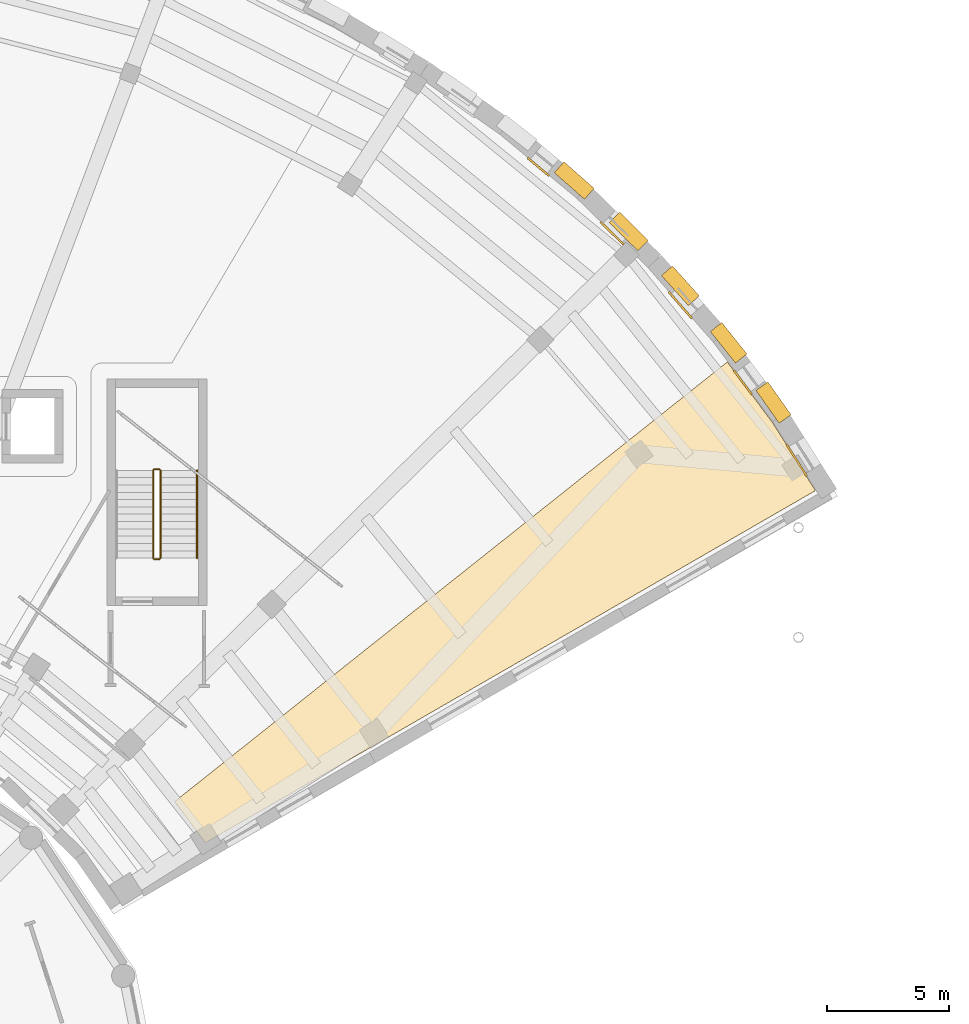
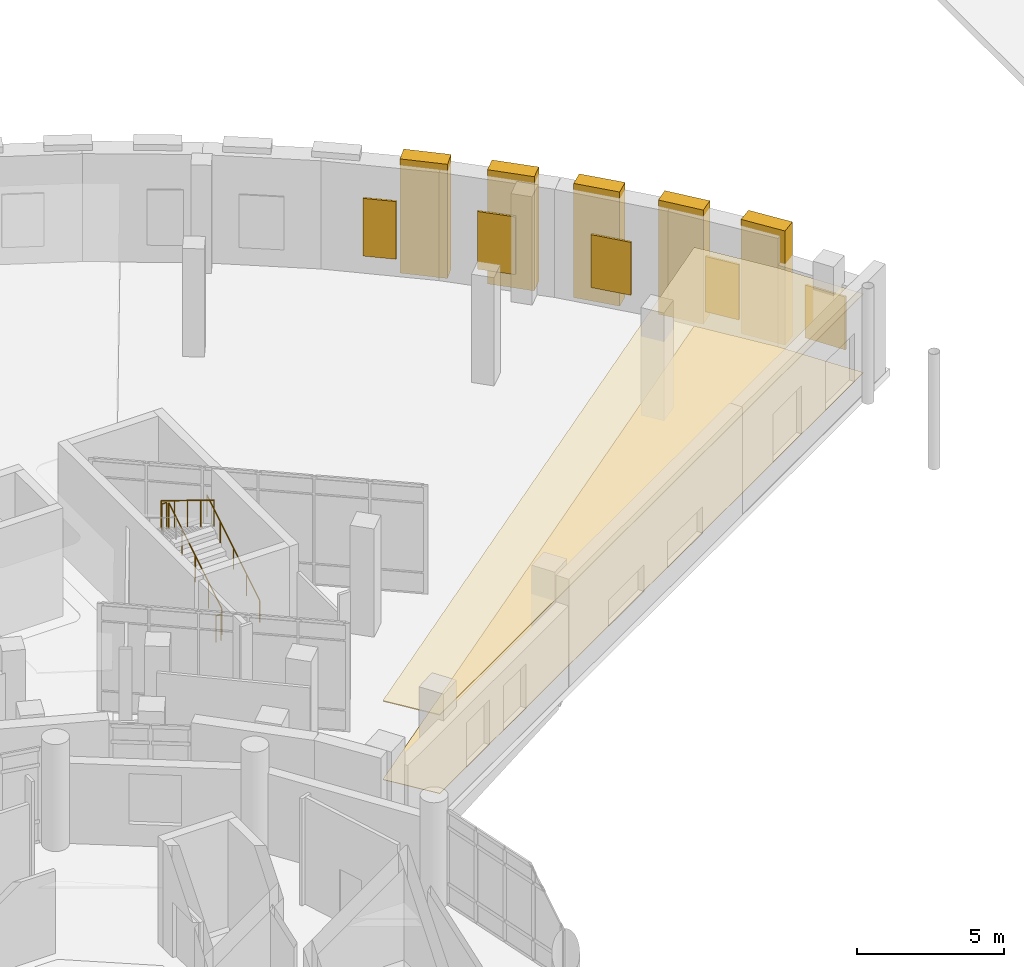
# One storey, part 86 of 89: 12 coverings, 5 railings.
"""IFC4 building model written with IfcOpenShell, lengths in metres."""

import ifcopenshell
import ifcopenshell.guid

model = None  # the IFC model being written
_history = None  # IfcOwnerHistory: only IFC2X3 demands one
_inside = {}  # id of a spatial element -> (the spatial element, [elements in it])
_under = {}  # id of a project, library or spatial element -> (it, [spatial elements below it])
_declared = {}  # id of a project -> (the project, [libraries it declares])
_typed = {}  # id of a type object -> (the type object, [elements of that type])
_made_of = {}  # id of a material, layer set ... -> (it, [elements and type objects made of it])


def new_model(schema):
    """Start an empty IFC model of exactly this schema.

    Asked for "IFC4X3", IfcOpenShell would pick the latest addendum, in which some entities
    have other attributes; the version numbers below select the first issue.
    IFC2X3 requires an IfcOwnerHistory on every rooted entity: one is made here for all.
    """
    global model, _history
    if schema == "IFC4X3":
        model = ifcopenshell.file(schema_version=(4, 3, 0, 0))
    else:
        model = ifcopenshell.file(schema=schema)
    _inside.clear()
    _under.clear()
    _declared.clear()
    _typed.clear()
    _made_of.clear()
    _history = None
    if model.schema == "IFC2X3":
        org = make("IfcOrganization", Name="unknown")
        user = make(
            "IfcPersonAndOrganization",
            ThePerson=make("IfcPerson", FamilyName="unknown"),
            TheOrganization=org,
        )
        app = make(
            "IfcApplication",
            ApplicationDeveloper=org,
            Version="unknown",
            ApplicationFullName="unknown",
            ApplicationIdentifier="unknown",
        )
        _history = make(
            "IfcOwnerHistory",
            OwningUser=user,
            OwningApplication=app,
            ChangeAction="ADDED",
            CreationDate=0,
        )
    return model


def make(cls, **values):
    """One entity of the class cls with the attributes given. An attribute that is None is left unset."""
    return model.create_entity(
        cls, **{name: value for name, value in values.items() if value is not None}
    )


def rooted(cls, **values):
    """An entity with a GlobalId (a new one), such as an element, a storey or a relation."""
    return make(cls, GlobalId=ifcopenshell.guid.new(), OwnerHistory=_history, **values)


def si_unit(unit_type, name, prefix=None):
    """IfcSIUnit, for example si_unit("LENGTHUNIT", "METRE", prefix="MILLI")."""
    return make("IfcSIUnit", UnitType=unit_type, Prefix=prefix, Name=name)


def assignment(units):
    """IfcUnitAssignment: the units of a project."""
    return None if units is None else make("IfcUnitAssignment", Units=units)


def point(xyz):
    """IfcCartesianPoint."""
    return None if xyz is None else make("IfcCartesianPoint", Coordinates=xyz)


def direction(xyz):
    """IfcDirection."""
    return None if xyz is None else make("IfcDirection", DirectionRatios=xyz)


def frame(location, z_axis=None, x_axis=None):
    """IfcAxis2Placement3D, a coordinate frame: its origin and axes. An axis left out is left unset."""
    return make(
        "IfcAxis2Placement3D",
        Location=point(location),
        Axis=direction(z_axis),
        RefDirection=direction(x_axis),
    )


def frame_2d(location, x_axis=None):
    """IfcAxis2Placement2D, a coordinate frame in the plane: its origin and x axis."""
    return make(
        "IfcAxis2Placement2D", Location=point(location), RefDirection=direction(x_axis)
    )


def origin():
    """The frame at (0, 0, 0) with its axes left unset."""
    return frame((0.0, 0.0, 0.0))


def origin_2d():
    """The frame at (0, 0) in the plane with its x axis left unset."""
    return frame_2d((0.0, 0.0))


def place(relative_to, where):
    """IfcLocalPlacement: puts the frame where relative to a parent placement (None: the world)."""
    return make(
        "IfcLocalPlacement", PlacementRelTo=relative_to, RelativePlacement=where
    )


def context(
    kind, dimensions, precision=None, world=None, true_north=None, identifier=None
):
    """IfcGeometricRepresentationContext, for example the 3D "Model" context."""
    return make(
        "IfcGeometricRepresentationContext",
        ContextIdentifier=identifier,
        ContextType=kind,
        CoordinateSpaceDimension=dimensions,
        Precision=precision,
        WorldCoordinateSystem=world,
        TrueNorth=true_north,
    )


def subcontext(parent, identifier, kind, view, scale=None):
    """IfcGeometricRepresentationSubContext, for example "Body" below "Model"."""
    return make(
        "IfcGeometricRepresentationSubContext",
        ContextIdentifier=identifier,
        ContextType=kind,
        ParentContext=parent,
        TargetScale=scale,
        TargetView=view,
    )


def project(units=None, contexts=None):
    """IfcProject with its units and contexts."""
    return rooted(
        "IfcProject",
        Name="project",
        RepresentationContexts=contexts,
        UnitsInContext=assignment(units),
    )


def spatial(cls, under=None, at=None, **own):
    """A site, building, storey or space (cls), placed at a placement, below another one or the project."""
    s = rooted(cls, ObjectPlacement=at, **own)
    if under is not None:
        _under.setdefault(under.id(), (under, []))[1].append(s)
    return s


def polyline(points):
    """IfcPolyline through the points."""
    return make("IfcPolyline", Points=[point(p) for p in points])


def profile(cls, at=None, kind="AREA", **sizes):
    """A parametric profile (cls). Its sizes go by their IFC names, for example OverallWidth=200.0."""
    return make(cls, ProfileType=kind, Position=at, **sizes)


def rectangle(**sizes):
    """IfcRectangleProfileDef."""
    return profile("IfcRectangleProfileDef", **sizes)


def circle(**sizes):
    """IfcCircleProfileDef."""
    return profile("IfcCircleProfileDef", **sizes)


def outline(outer, holes=None, kind="AREA"):
    """IfcArbitraryClosedProfileDef: a profile drawn as a closed curve; with holes, ...WithVoids."""
    if holes is None:
        return make("IfcArbitraryClosedProfileDef", ProfileType=kind, OuterCurve=outer)
    return make(
        "IfcArbitraryProfileDefWithVoids",
        ProfileType=kind,
        OuterCurve=outer,
        InnerCurves=holes,
    )


def extrude(swept, where, along, depth):
    """IfcExtrudedAreaSolid: the profile swept, set in the frame where, extruded along a direction by depth."""
    return make(
        "IfcExtrudedAreaSolid",
        SweptArea=swept,
        Position=where,
        ExtrudedDirection=direction(along),
        Depth=depth,
    )


def shape(context_of_items, identifier, shape_type, items):
    """IfcShapeRepresentation: the items that make up one representation, for example the "Body"."""
    return make(
        "IfcShapeRepresentation",
        ContextOfItems=context_of_items,
        RepresentationIdentifier=identifier,
        RepresentationType=shape_type,
        Items=items,
    )


def material(Name=None, Category=None):
    """IfcMaterial."""
    return make("IfcMaterial", Name=Name, Category=Category)


def layer(
    of_material, thickness, ventilated=None, Name=None, Category=None, Priority=None
):
    """IfcMaterialLayer: one layer of a wall or slab, of a material (None: an air gap)."""
    return make(
        "IfcMaterialLayer",
        Material=of_material,
        LayerThickness=thickness,
        IsVentilated=ventilated,
        Name=Name,
        Category=Category,
        Priority=Priority,
    )


def layer_set(layers, Name=None):
    """IfcMaterialLayerSet."""
    return make("IfcMaterialLayerSet", MaterialLayers=layers, LayerSetName=Name)


def made_of(thing, what):
    """Note that an element or type object is made of a material, layer set ...; save() writes the relation."""
    if what is not None:
        _made_of.setdefault(what.id(), (what, []))[1].append(thing)
    return thing


def type_object(cls, material=None, **own):
    """A type object (cls), such as IfcWallType, which elements share."""
    return made_of(rooted(cls, **own), material)


def element(
    cls,
    number,
    at=None,
    inside=None,
    cuts=None,
    type_object=None,
    material=None,
    context=None,
    identifier="Body",
    shape_type=None,
    held_by="IfcProductDefinitionShape",
    body=None,
    shapes=None,
    **own,
):
    """One element of the class cls, such as IfcWall. Its Tag is "e" and its number.

    at: its placement. inside: the storey or other place that contains it. cuts: it is an
    opening in that element (IfcRelVoidsElement). A single representation is given by context,
    identifier, shape_type and body (its items); several are given by shapes. held_by: the class
    of the entity that holds the representations. save() writes the other relations.
    """
    e = rooted(cls, Tag="e%d" % number, ObjectPlacement=at, **own)
    if body is not None:
        shapes = [shape(context, identifier, shape_type, body)]
    if shapes is not None:
        e.Representation = make(held_by, Representations=shapes)
    if inside is not None:
        _inside.setdefault(inside.id(), (inside, []))[1].append(e)
    if cuts is not None:
        rooted(
            "IfcRelVoidsElement", RelatingBuildingElement=cuts, RelatedOpeningElement=e
        )
    if type_object is not None:
        _typed.setdefault(type_object.id(), (type_object, []))[1].append(e)
    return made_of(e, material)


def aggregate(whole, parts):
    """IfcRelAggregates: a whole, such as a stair, and the parts it consists of."""
    return rooted("IfcRelAggregates", RelatingObject=whole, RelatedObjects=parts)


def save(model, path):
    """Write the relations noted so far, then the file.

    IfcRelAggregates (storeys below a building ...), IfcRelContainedInSpatialStructure (elements
    in a storey), IfcRelDefinesByType, IfcRelAssociatesMaterial and IfcRelDeclares: one each for
    every whole, place, type object, material and project.
    """
    for whole, parts in _under.values():
        aggregate(whole, parts)
    for where, things in _inside.values():
        rooted(
            "IfcRelContainedInSpatialStructure",
            RelatedElements=things,
            RelatingStructure=where,
        )
    for kind, things in _typed.values():
        rooted("IfcRelDefinesByType", RelatedObjects=things, RelatingType=kind)
    for what, things in _made_of.values():
        rooted("IfcRelAssociatesMaterial", RelatedObjects=things, RelatingMaterial=what)
    for by, libraries in _declared.values():
        rooted("IfcRelDeclares", RelatingContext=by, RelatedDefinitions=libraries)
    model.write(path)


model = new_model("IFC4")

# Units and contexts
model_context = context("Model", 3, precision=1e-05, world=origin(), true_north=direction((0.0, 1.0)))
body_context = subcontext(model_context, "Body", "Model", "MODEL_VIEW")
ifc_project = project(units=[si_unit("LENGTHUNIT", "METRE"), si_unit("AREAUNIT", "SQUARE_METRE"), si_unit("VOLUMEUNIT", "CUBIC_METRE"), si_unit("PLANEANGLEUNIT", "RADIAN"), si_unit("MASSUNIT", "GRAM", prefix="KILO")], contexts=[model_context])

# Site, building, storey
site_placement = place(None, origin())
site = spatial("IfcSite", under=ifc_project, at=site_placement, CompositionType="ELEMENT")
building_placement = place(site_placement, origin())
building = spatial("IfcBuilding", under=site, at=building_placement, Name="Soyqirgoq Riverine Aquarium", CompositionType="ELEMENT")
storey_placement = place(building_placement, frame((0.0, 0.0, 5.39990234375)))
storey = spatial("IfcBuildingStorey", under=building, at=storey_placement, Name="L02", CompositionType="ELEMENT", Elevation=5.39990234375)

# Coverings
ifc_material_1 = material(Name="Seamless slip-resistant marine epoxy flooring", Category="concrete")
ifc_layer_1 = layer(ifc_material_1, 0.02001953125)
ifc_layer_set_1 = layer_set([ifc_layer_1], Name="Seamless slip-resistant marine epoxy flooring")
covering_type_1 = type_object("IfcCoveringType", Name="EpoxyWetFloorFinish_20", PredefinedType="FLOORING", material=ifc_layer_set_1)
covering_1_placement = place(storey_placement, origin())
element("IfcCovering", 1, at=covering_1_placement, inside=storey, type_object=covering_type_1, Name="Bioluminescent Deep Lab Exhibit Floor Finish", PredefinedType="FLOORING", context=body_context, shape_type="SweptSolid", body=[
    extrude(outline(polyline([(98.72998046875, 86.367919921875), (100.4970703125, 83.568115234375), (75.489990234375, 69.1298828125), (74.22705078125, 70.821044921875), (96.883056640625, 88.842041015625), (98.72998046875, 86.367919921875)])), origin(), (0.0, 0.0, 1.0), 0.02001953125),
])
ifc_material_2 = material(Name="Anodised aluminium marine moisture-resistant ceiling", Category="aluminium")
ifc_layer_2 = layer(ifc_material_2, 0.0400390625)
ifc_layer_set_2 = layer_set([ifc_layer_2], Name="Anodised aluminium marine moisture-resistant ceiling")
covering_type_2 = type_object("IfcCoveringType", Name="MoistureCeiling_40", PredefinedType="CEILING", material=ifc_layer_set_2)
covering_2_placement = place(storey_placement, frame((0.0, 0.0, 3.260009765625)))
element("IfcCovering", 2, at=covering_2_placement, inside=storey, type_object=covering_type_2, Name="Bioluminescent Deep Lab Exhibit Suspended Ceiling", PredefinedType="CEILING", context=body_context, shape_type="SweptSolid", body=[
    extrude(outline(polyline([(98.72998046875, 86.367919921875), (100.4970703125, 83.568115234375), (75.489990234375, 69.1298828125), (74.22705078125, 70.821044921875), (96.883056640625, 88.842041015625), (98.72998046875, 86.367919921875)])), origin(), (0.0, 0.0, 1.0), 0.0400390625),
])
ifc_material_3 = material(Name="Anodised extruded aluminium sunshade", Category="aluminium")
covering_type_3 = type_object("IfcCoveringType", Name="SolarShadingLouvre_450", PredefinedType="USERDEFINED", material=ifc_material_3)
covering_3_placement = place(storey_placement, frame((89.135498046875, 96.841064453125, 0.750244140625), z_axis=(0.0, 0.0, 1.0), x_axis=(0.768841832073, -0.639439001981, 0.0)))
element("IfcCovering", 3, at=covering_3_placement, inside=storey, type_object=covering_type_3, Name="V5 L02 Travertine Niche Solar Shade 0080", ObjectType="SOLAR_SHADING", PredefinedType="USERDEFINED", context=body_context, shape_type="SweptSolid", body=[
    extrude(rectangle(XDim=1.139892578125, YDim=0.080078125, at=origin_2d()), origin(), (0.0, 0.0, 1.0), 2.39990234375),
])
covering_4_placement = place(storey_placement, frame((92.1591796875, 94.118408203125, 0.750244140625), z_axis=(0.0, 0.0, 1.0), x_axis=(0.716301943425, -0.697790459842, 0.0)))
element("IfcCovering", 4, at=covering_4_placement, inside=storey, type_object=covering_type_3, Name="V5 L02 Travertine Niche Solar Shade 0081", ObjectType="SOLAR_SHADING", PredefinedType="USERDEFINED", context=body_context, shape_type="SweptSolid", body=[
    extrude(rectangle(XDim=1.340087890625, YDim=0.080078125, at=origin_2d()), origin(), (0.0, 0.0, 1.0), 2.39990234375),
])
covering_5_placement = place(storey_placement, frame((94.960205078125, 91.1669921875, 0.75), z_axis=(0.0, 0.0, 1.0), x_axis=(0.6593458151, -0.751839807479, 0.0)))
element("IfcCovering", 5, at=covering_5_placement, inside=storey, type_object=covering_type_3, Name="V5 L02 Travertine Niche Solar Shade 0082", ObjectType="SOLAR_SHADING", PredefinedType="USERDEFINED", context=body_context, shape_type="SweptSolid", body=[
    extrude(rectangle(XDim=1.43994140625, YDim=0.080078125, at=origin_2d()), origin(), (0.0, 0.0, 1.0), 2.199951171875),
])
covering_6_placement = place(storey_placement, frame((97.5205078125, 88.0048828125, 0.75), z_axis=(0.0, 0.0, 1.0), x_axis=(0.598324600571, -0.801253812691, 0.0)))
element("IfcCovering", 6, at=covering_6_placement, inside=storey, type_object=covering_type_3, Name="V5 L02 Travertine Niche Solar Shade 0083", ObjectType="SOLAR_SHADING", PredefinedType="USERDEFINED", context=body_context, shape_type="SweptSolid", body=[
    extrude(rectangle(XDim=1.239990234375, YDim=0.080078125, at=origin_2d()), origin(), (0.0, 0.0, 1.0), 2.300048828125),
])
covering_7_placement = place(storey_placement, frame((99.72900390625, 84.803955078125, 0.75), z_axis=(0.0, 0.0, 1.0), x_axis=(0.533614515916, -0.845727821704, 0.0)))
element("IfcCovering", 7, at=covering_7_placement, inside=storey, type_object=covering_type_3, Name="V5 L02 Travertine Niche Solar Shade 0084", ObjectType="SOLAR_SHADING", PredefinedType="USERDEFINED", context=body_context, shape_type="SweptSolid", body=[
    extrude(rectangle(XDim=1.5400390625, YDim=0.080078125, at=origin_2d()), origin(), (0.0, 0.0, 1.0), 2.199951171875),
])

# Railings
ifc_material_4 = material(Name="Brushed stainless steel 316L tubular handrail", Category="steel")
railing_type_1 = type_object("IfcRailingType", Name="StairPitchHandrail_920", PredefinedType="HANDRAIL", material=ifc_material_4)
railing_1_placement = place(storey_placement, frame((75.14990234375, 80.800048828125, 0.184814453125)))
element("IfcRailing", 8, at=railing_1_placement, inside=storey, type_object=railing_type_1, Name="L02 ST-6 stair handrail 1", PredefinedType="HANDRAIL", context=body_context, shape_type="SweptSolid", body=[
    extrude(circle(Radius=0.02392578125, at=origin_2d()), frame((0.0, 0.0, 0.89990234375), z_axis=(0.0, 0.851654350407, 0.524103870844), x_axis=(-1.0, 0.0, 0.0)), (0.0, 0.0, 1.0), 4.226806640625),
    extrude(circle(Radius=0.02099609375, at=origin_2d()), origin(), (0.0, 0.0, 1.0), 0.875732421875),
    extrude(circle(Radius=0.02099609375, at=origin_2d()), frame((0.0, 0.89990234375, 0.5537109375)), (0.0, 0.0, 1.0), 0.875732421875),
    extrude(circle(Radius=0.02099609375, at=origin_2d()), frame((0.0, 1.7998046875, 1.107666015625)), (0.0, 0.0, 1.0), 0.875732421875),
    extrude(circle(Radius=0.02099609375, at=origin_2d()), frame((0.0, 2.699951171875, 1.66162109375)), (0.0, 0.0, 1.0), 0.875732421875),
    extrude(circle(Radius=0.02099609375, at=origin_2d()), frame((0.0, 3.599853515625, 2.21533203125)), (0.0, 0.0, 1.0), 0.875732421875),
])
ifc_material_5 = material(Name="Painted steel infill stair-well guardrail", Category="steel")
railing_type_2 = type_object("IfcRailingType", Name="StairWellGuard_1120", PredefinedType="GUARDRAIL", material=ifc_material_5)
railing_2_placement = place(storey_placement, frame((73.64990234375, 80.800048828125, 0.184814453125)))
element("IfcRailing", 9, at=railing_2_placement, inside=storey, type_object=railing_type_2, Name="L02 ST-6 stair guard 1", PredefinedType="GUARDRAIL", context=body_context, shape_type="SweptSolid", body=[
    extrude(circle(Radius=0.02392578125, at=origin_2d()), frame((0.0, 0.0, 1.09619140625), z_axis=(0.0, 0.851654350407, 0.524103870844), x_axis=(-1.0, 0.0, 0.0)), (0.0, 0.0, 1.0), 4.226806640625),
    extrude(circle(Radius=0.02099609375, at=origin_2d()), origin(), (0.0, 0.0, 1.0), 1.072021484375),
    extrude(circle(Radius=0.02099609375, at=origin_2d()), frame((0.0, 0.89990234375, 0.5537109375)), (0.0, 0.0, 1.0), 1.072021484375),
    extrude(circle(Radius=0.02099609375, at=origin_2d()), frame((0.0, 1.7998046875, 1.107666015625)), (0.0, 0.0, 1.0), 1.072021484375),
    extrude(circle(Radius=0.02099609375, at=origin_2d()), frame((0.0, 2.699951171875, 1.66162109375)), (0.0, 0.0, 1.0), 1.072021484375),
    extrude(circle(Radius=0.02099609375, at=origin_2d()), frame((0.0, 3.599853515625, 2.21533203125)), (0.0, 0.0, 1.0), 1.072021484375),
])
railing_3_placement = place(storey_placement, frame((73.60009765625, 84.449951171875, 2.400146484375)))
element("IfcRailing", 10, at=railing_3_placement, inside=storey, type_object=railing_type_2, Name="L02 ST-6 stair guard 2", PredefinedType="GUARDRAIL", context=body_context, shape_type="SweptSolid", body=[
    extrude(circle(Radius=0.02392578125, at=origin_2d()), frame((0.0, 0.0, 1.09619140625), z_axis=(-1.0, 0.0, 0.0), x_axis=(0.0, -1.0, 0.0)), (0.0, 0.0, 1.0), 0.2001953125),
    extrude(circle(Radius=0.02099609375, at=origin_2d()), origin(), (0.0, 0.0, 1.0), 1.072021484375),
    extrude(circle(Radius=0.02099609375, at=origin_2d()), frame((-0.2001953125, 0.0, 0.0)), (0.0, 0.0, 1.0), 1.072021484375),
])
railing_4_placement = place(storey_placement, frame((73.35009765625, 84.39990234375, 2.584716796875)))
element("IfcRailing", 11, at=railing_4_placement, inside=storey, type_object=railing_type_2, Name="L02 ST-6 stair guard 3", PredefinedType="GUARDRAIL", context=body_context, shape_type="SweptSolid", body=[
    extrude(circle(Radius=0.02392578125, at=origin_2d()), frame((0.0, 0.0, 1.09619140625), z_axis=(0.0, -0.851654350407, 0.524103870844), x_axis=(1.0, 0.0, 0.0)), (0.0, 0.0, 1.0), 4.226806640625),
    extrude(circle(Radius=0.02099609375, at=origin_2d()), origin(), (0.0, 0.0, 1.0), 1.072021484375),
    extrude(circle(Radius=0.02099609375, at=origin_2d()), frame((0.0, -0.89990234375, 0.5537109375)), (0.0, 0.0, 1.0), 1.072021484375),
    extrude(circle(Radius=0.02099609375, at=origin_2d()), frame((0.0, -1.7998046875, 1.107666015625)), (0.0, 0.0, 1.0), 1.072021484375),
    extrude(circle(Radius=0.02099609375, at=origin_2d()), frame((0.0, -2.699951171875, 1.66162109375)), (0.0, 0.0, 1.0), 1.072021484375),
    extrude(circle(Radius=0.02099609375, at=origin_2d()), frame((0.0, -3.599853515625, 2.21533203125)), (0.0, 0.0, 1.0), 1.072021484375),
])
railing_5_placement = place(storey_placement, frame((73.60009765625, 80.75, 0.0)))
element("IfcRailing", 12, at=railing_5_placement, inside=storey, type_object=railing_type_2, Name="L02 ST-6 stair guard 4", PredefinedType="GUARDRAIL", context=body_context, shape_type="SweptSolid", body=[
    extrude(circle(Radius=0.02392578125, at=origin_2d()), frame((0.0, 0.0, 1.09619140625), z_axis=(-1.0, 0.0, 0.0), x_axis=(0.0, -1.0, 0.0)), (0.0, 0.0, 1.0), 0.2001953125),
    extrude(circle(Radius=0.02099609375, at=origin_2d()), origin(), (0.0, 0.0, 1.0), 1.072021484375),
    extrude(circle(Radius=0.02099609375, at=origin_2d()), frame((-0.2001953125, 0.0, 0.0)), (0.0, 0.0, 1.0), 1.072021484375),
])

# Coverings
ifc_material_6 = material(Name="Honed Uzbek travertine limestone vertical niche pier", Category="masonry")
covering_type_4 = type_object("IfcCoveringType", Name="TravertineNichePier_550", PredefinedType="CLADDING", material=ifc_material_6)
for number, where, z_axis, x_axis, name in (
    (13, (98.777587890625, 87.17626953125, 0.0), (0.0, 0.0, 1.0), (0.817144898335, 0.57643231617, 0.0), "V5 L02 Travertine Vertical Niche Pier 129"),
    (14, (96.93896484375, 89.627197265625, 0.0), (0.0, 0.0, 1.0), (0.782064612424, 0.623197353969, 0.0), "V5 L02 Travertine Vertical Niche Pier 130"),
    (15, (94.9599609375, 91.96630859375, 0.0), (0.0, 0.0, 1.0), (0.744194976126, 0.66796245217, 0.0), "V5 L02 Travertine Vertical Niche Pier 131"),
    (16, (92.84765625, 94.185546875, 0.0), (0.0, 0.0, 1.0), (0.703890763003, 0.710308238555, 0.0), "V5 L02 Travertine Vertical Niche Pier 132"),
    (17, (90.609130859375, 96.277587890625, 0.0), (0.0, 0.0, 1.0), (0.661049986881, 0.750341865315, 0.0), "V5 L02 Travertine Vertical Niche Pier 133"),
):
    element("IfcCovering", number, at=place(storey_placement, frame(where, z_axis=z_axis, x_axis=x_axis)), inside=storey, type_object=covering_type_4, Name=name, PredefinedType="CLADDING", context=body_context, shape_type="SweptSolid", body=[
        extrude(rectangle(XDim=0.60009765625, YDim=1.64990234375, at=origin_2d()), origin(), (0.0, 0.0, 1.0), 4.75),
    ])

save(model, "model.ifc")
